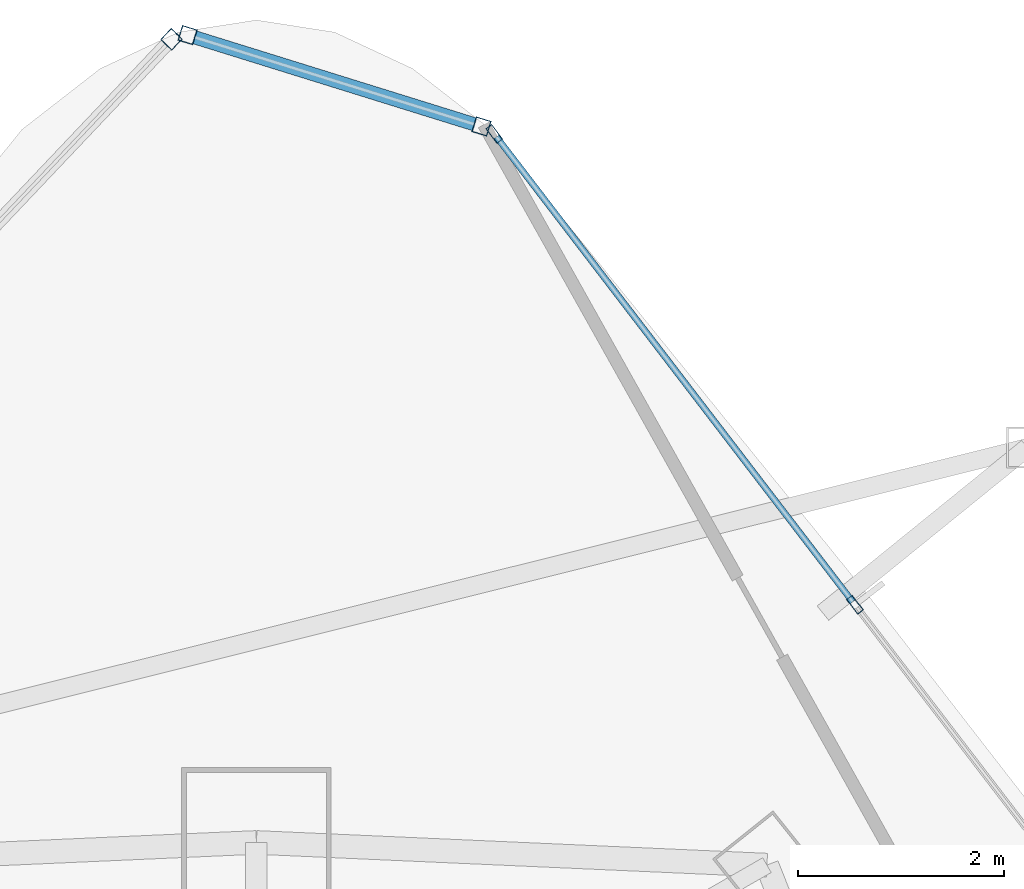
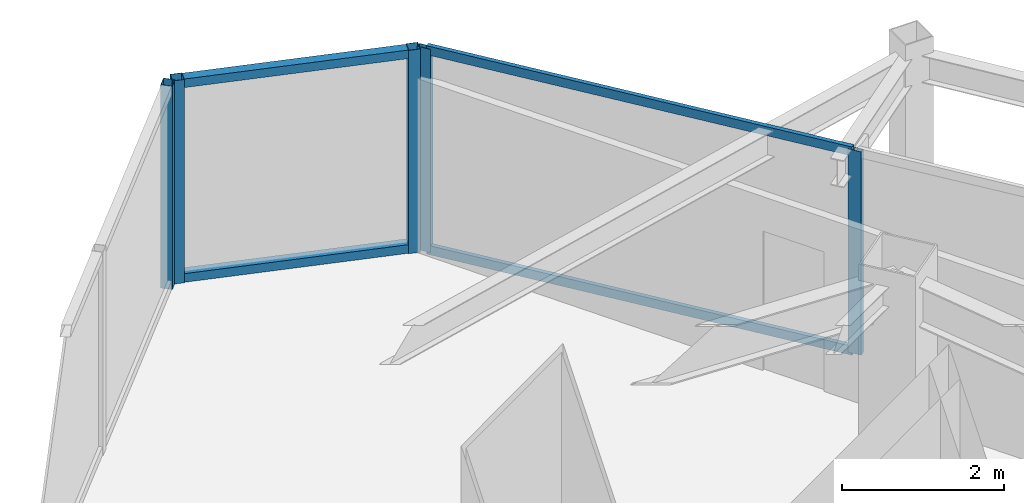
# One storey, part 24 of 33: 9 members, 3 elements without a shape of their own.
"""IFC4 building model written with IfcOpenShell, lengths in metres."""

from ifc_helpers import new_model, si_unit, direction, frame, origin, origin_2d, place, context, subcontext, project, spatial, hollow_rectangle, extrude, material, layer, layer_set, material_profile, profile_set, type_object, element, aggregate, save


model = new_model("IFC4")

# Units and contexts
model_context = context("Model", 3, precision=1e-05, world=origin(), true_north=direction((0.0, 1.0)))
body_context = subcontext(model_context, "Body", "Model", "MODEL_VIEW")
ifc_project = project(units=[si_unit("LENGTHUNIT", "METRE"), si_unit("AREAUNIT", "SQUARE_METRE"), si_unit("VOLUMEUNIT", "CUBIC_METRE"), si_unit("PLANEANGLEUNIT", "RADIAN"), si_unit("MASSUNIT", "GRAM", prefix="KILO")], contexts=[model_context])

# Site, building, storey
site_placement = place(None, origin())
site = spatial("IfcSite", under=ifc_project, at=site_placement, CompositionType="ELEMENT")
building_placement = place(site_placement, origin())
building = spatial("IfcBuilding", under=site, at=building_placement, Name="Orvanel Arch Residences", CompositionType="ELEMENT")
storey_placement = place(building_placement, frame((0.0, 0.0, 116.60009765625)))
storey = spatial("IfcBuildingStorey", under=building, at=storey_placement, Name="L32", CompositionType="ELEMENT", Elevation=116.60009765625)

# Curtain wall, members
ifc_material = material(Name="Bronze-anodised aluminium AA6063-T6", Category="aluminium")
ifc_layer_1 = layer(ifc_material, 0.18994140625)
ifc_layer_set_1 = layer_set([ifc_layer_1], Name="Bronze-anodised aluminium AA6063-T6")
curtain_wall_type_1 = type_object("IfcCurtainWallType", Name="CW5-CRN-SYS", PredefinedType="NOTDEFINED", material=ifc_layer_set_1)
curtain_wall_1_placement = place(storey_placement, origin())
curtain_wall_1 = element("IfcCurtainWall", 1, at=curtain_wall_1_placement, inside=storey, type_object=curtain_wall_type_1, Name="L32 CW5-CRN-SYS Unitised Curtain Wall", PredefinedType="NOTDEFINED")
ifc_material_profile_1 = material_profile(ifc_material, hollow_rectangle(XDim=0.14990234375, YDim=0.14990234375, WallThickness=0.0048828125, at=origin_2d()), Name="ALU150x150x5")
ifc_profile_set_1 = profile_set([ifc_material_profile_1], Name="Bronze-anodised aluminium AA6063-T6")
member_type_1 = type_object("IfcMemberType", Name="MUL-150x150", PredefinedType="MULLION", material=ifc_profile_set_1)
member_1_placement = place(storey_placement, frame((35.182373046875, 48.33935546875, 0.0), z_axis=(0.0, 0.0, 1.0), x_axis=(-0.297021304243, -0.954870852433, 0.0)))
member_1 = element("IfcMember", 2, at=member_1_placement, type_object=member_type_1, Name="CW-S5 mullion 1", PredefinedType="MULLION", context=body_context, shape_type="SweptSolid", body=[
    extrude(hollow_rectangle(XDim=0.14990234375, YDim=0.14990234375, WallThickness=0.0048828125, at=origin_2d()), origin(), (0.0, 0.0, 1.0), 3.059814453125),
])
member_2_placement = place(storey_placement, frame((32.33251953125, 49.225830078125, 0.0), z_axis=(0.0, 0.0, 1.0), x_axis=(-0.297021304243, -0.954870852433, 0.0)))
member_2 = element("IfcMember", 3, at=member_2_placement, type_object=member_type_1, Name="CW-S5 mullion 2", PredefinedType="MULLION", context=body_context, shape_type="SweptSolid", body=[
    extrude(hollow_rectangle(XDim=0.14990234375, YDim=0.14990234375, WallThickness=0.0048828125, at=origin_2d()), origin(), (0.0, 0.0, 1.0), 3.059814453125),
])

# Curtain wall, member
curtain_wall_2_placement = place(storey_placement, origin())
curtain_wall_2 = element("IfcCurtainWall", 4, at=curtain_wall_2_placement, inside=storey, type_object=curtain_wall_type_1, Name="L32 CW5-CRN-SYS Unitised Curtain Wall", PredefinedType="NOTDEFINED")
member_3_placement = place(storey_placement, frame((32.176513671875, 49.1845703125, 0.0), z_axis=(0.0, 0.0, 1.0), x_axis=(0.725885986866, -0.687815043505, 0.0)))
member_3 = element("IfcMember", 5, at=member_3_placement, type_object=member_type_1, Name="CW-S5 mullion 1", PredefinedType="MULLION", context=body_context, shape_type="SweptSolid", body=[
    extrude(hollow_rectangle(XDim=0.14990234375, YDim=0.14990234375, WallThickness=0.0048828125, at=origin_2d()), origin(), (0.0, 0.0, 1.0), 3.059814453125),
])
aggregate(curtain_wall_2, [member_3])

# Curtain wall, members
ifc_layer_2 = layer(ifc_material, 0.179931640625)
ifc_layer_set_2 = layer_set([ifc_layer_2], Name="Bronze-anodised aluminium AA6063-T6")
curtain_wall_type_2 = type_object("IfcCurtainWallType", Name="CW3-MID-SYS", PredefinedType="NOTDEFINED", material=ifc_layer_set_2)
curtain_wall_3_placement = place(storey_placement, origin())
curtain_wall_3 = element("IfcCurtainWall", 6, at=curtain_wall_3_placement, inside=storey, type_object=curtain_wall_type_2, Name="L32 CW3-MID-SYS Unitised Curtain Wall", PredefinedType="NOTDEFINED")
ifc_material_profile_2 = material_profile(ifc_material, hollow_rectangle(XDim=0.070068359375, YDim=0.179931640625, WallThickness=0.00439453125, at=origin_2d()), Name="ALU180x70x4.5")
ifc_profile_set_2 = profile_set([ifc_material_profile_2], Name="Bronze-anodised aluminium AA6063-T6")
member_type_2 = type_object("IfcMemberType", Name="MUL-180x70", PredefinedType="MULLION", material=ifc_profile_set_2)
member_4_placement = place(storey_placement, frame((38.802734375, 43.70263671875, 0.0), z_axis=(0.0, 0.0, 1.0), x_axis=(-0.793866900823, -0.608091558713, 0.0)))
member_4 = element("IfcMember", 7, at=member_4_placement, type_object=member_type_2, Name="CW-S3 mullion 3", PredefinedType="MULLION", context=body_context, shape_type="SweptSolid", body=[
    extrude(hollow_rectangle(XDim=0.070068359375, YDim=0.179931640625, WallThickness=0.00439453125, at=origin_2d()), origin(), (0.0, 0.0, 1.0), 3.059814453125),
])
member_5_placement = place(storey_placement, frame((35.306396484375, 48.267333984375, 0.0), z_axis=(0.0, 0.0, 1.0), x_axis=(-0.793866900823, -0.608091558713, 0.0)))
member_5 = element("IfcMember", 8, at=member_5_placement, type_object=member_type_2, Name="CW-S3 mullion 4", PredefinedType="MULLION", context=body_context, shape_type="SweptSolid", body=[
    extrude(hollow_rectangle(XDim=0.070068359375, YDim=0.179931640625, WallThickness=0.00439453125, at=origin_2d()), origin(), (0.0, 0.0, 1.0), 3.059814453125),
])

# Member
ifc_material_profile_3 = material_profile(ifc_material, hollow_rectangle(XDim=0.1298828125, YDim=0.1298828125, WallThickness=0.00439453125, at=origin_2d()), Name="ALU130x130x4.5")
ifc_profile_set_3 = profile_set([ifc_material_profile_3], Name="Bronze-anodised aluminium AA6063-T6")
member_type_3 = type_object("IfcMemberType", Name="TRN-130x130", PredefinedType="USERDEFINED", material=ifc_profile_set_3)
member_6_placement = place(storey_placement, frame((35.11083984375, 48.361572265625, 0.06494140625), z_axis=(-0.954880662706, 0.296989764118, 0.0), x_axis=(-0.296989764118, -0.954880662706, 0.0)))
member_6 = element("IfcMember", 9, at=member_6_placement, type_object=member_type_3, Name="CW-S5 transom 1.1", ObjectType="TRANSOM", PredefinedType="USERDEFINED", context=body_context, shape_type="SweptSolid", body=[
    extrude(hollow_rectangle(XDim=0.1298828125, YDim=0.1298828125, WallThickness=0.00439453125, at=origin_2d()), origin(), (0.0, 0.0, 1.0), 2.83447265625),
])

member_7_placement = place(storey_placement, frame((35.11083984375, 48.361572265625, 2.994873046875), z_axis=(-0.954880662706, 0.296989764118, 0.0), x_axis=(-0.296989764118, -0.954880662706, 0.0)))
member_7 = element("IfcMember", 10, at=member_7_placement, type_object=member_type_3, Name="CW-S5 transom 1.2", ObjectType="TRANSOM", PredefinedType="USERDEFINED", context=body_context, shape_type="SweptSolid", body=[
    extrude(hollow_rectangle(XDim=0.1298828125, YDim=0.1298828125, WallThickness=0.00439453125, at=origin_2d()), origin(), (0.0, 0.0, 1.0), 2.83447265625),
])

aggregate(curtain_wall_1, [member_1, member_2, member_6, member_7])

ifc_material_profile_4 = material_profile(ifc_material, hollow_rectangle(XDim=0.06005859375, YDim=0.135009765625, WallThickness=0.00390625, at=origin_2d()), Name="ALU135x60x4")
ifc_profile_set_4 = profile_set([ifc_material_profile_4], Name="Bronze-anodised aluminium AA6063-T6")
member_type_4 = type_object("IfcMemberType", Name="TRN-135x60", PredefinedType="USERDEFINED", material=ifc_profile_set_4)
member_8_placement = place(storey_placement, frame((38.781494140625, 43.73046875, 0.02978515625), z_axis=(-0.608091287366, 0.793867108671, 0.0), x_axis=(-0.793867108671, -0.608091287366, 0.0)))
member_8 = element("IfcMember", 11, at=member_8_placement, type_object=member_type_4, Name="CW-S3 transom 3.1", ObjectType="TRANSOM", PredefinedType="USERDEFINED", context=body_context, shape_type="SweptSolid", body=[
    extrude(hollow_rectangle(XDim=0.06005859375, YDim=0.135009765625, WallThickness=0.00390625, at=origin_2d()), origin(), (0.0, 0.0, 1.0), 5.679931640625),
])

member_9_placement = place(storey_placement, frame((38.781494140625, 43.73046875, 3.02978515625), z_axis=(-0.608091287366, 0.793867108671, 0.0), x_axis=(-0.793867108671, -0.608091287366, 0.0)))
member_9 = element("IfcMember", 12, at=member_9_placement, type_object=member_type_4, Name="CW-S3 transom 3.2", ObjectType="TRANSOM", PredefinedType="USERDEFINED", context=body_context, shape_type="SweptSolid", body=[
    extrude(hollow_rectangle(XDim=0.06005859375, YDim=0.135009765625, WallThickness=0.00390625, at=origin_2d()), origin(), (0.0, 0.0, 1.0), 5.679931640625),
])

aggregate(curtain_wall_3, [member_4, member_5, member_8, member_9])

save(model, "model.ifc")
